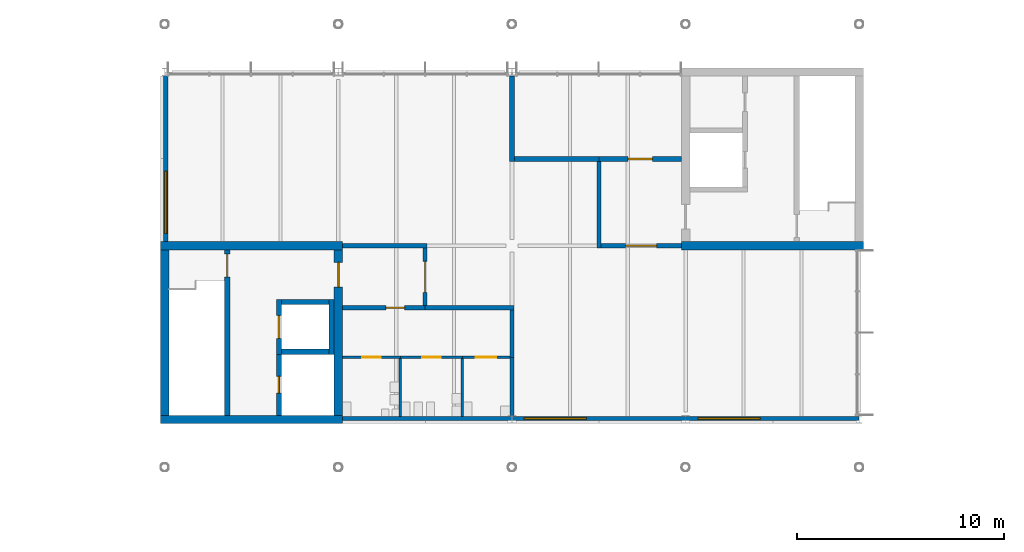
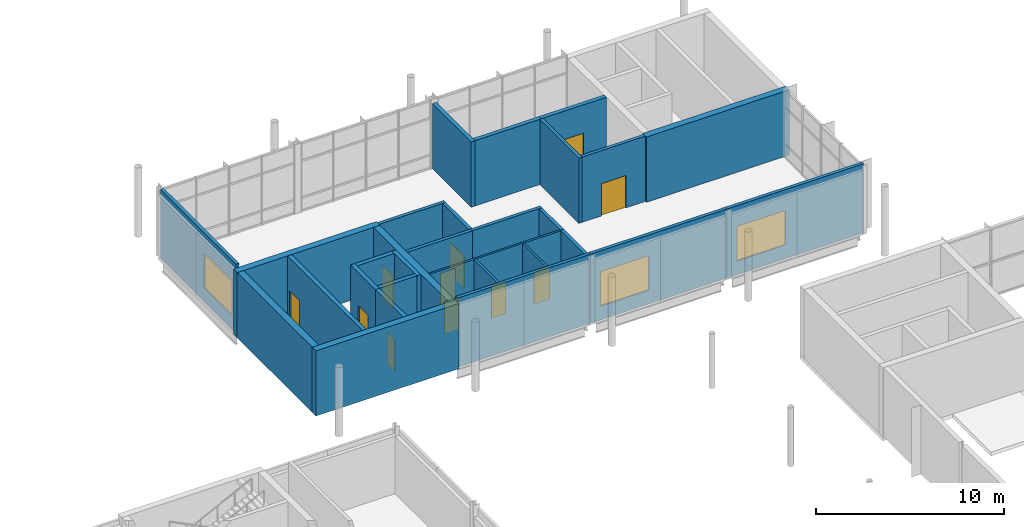
# One storey, part 56 of 89: 31 walls, 11 doors, 3 windows, 14 openings.
"""IFC4 building model written with IfcOpenShell, lengths in metres."""

import ifcopenshell
import ifcopenshell.guid

model = None  # the IFC model being written
_history = None  # IfcOwnerHistory: only IFC2X3 demands one
_inside = {}  # id of a spatial element -> (the spatial element, [elements in it])
_under = {}  # id of a project, library or spatial element -> (it, [spatial elements below it])
_declared = {}  # id of a project -> (the project, [libraries it declares])
_typed = {}  # id of a type object -> (the type object, [elements of that type])
_made_of = {}  # id of a material, layer set ... -> (it, [elements and type objects made of it])


def new_model(schema):
    """Start an empty IFC model of exactly this schema.

    Asked for "IFC4X3", IfcOpenShell would pick the latest addendum, in which some entities
    have other attributes; the version numbers below select the first issue.
    IFC2X3 requires an IfcOwnerHistory on every rooted entity: one is made here for all.
    """
    global model, _history
    if schema == "IFC4X3":
        model = ifcopenshell.file(schema_version=(4, 3, 0, 0))
    else:
        model = ifcopenshell.file(schema=schema)
    _inside.clear()
    _under.clear()
    _declared.clear()
    _typed.clear()
    _made_of.clear()
    _history = None
    if model.schema == "IFC2X3":
        org = make("IfcOrganization", Name="unknown")
        user = make(
            "IfcPersonAndOrganization",
            ThePerson=make("IfcPerson", FamilyName="unknown"),
            TheOrganization=org,
        )
        app = make(
            "IfcApplication",
            ApplicationDeveloper=org,
            Version="unknown",
            ApplicationFullName="unknown",
            ApplicationIdentifier="unknown",
        )
        _history = make(
            "IfcOwnerHistory",
            OwningUser=user,
            OwningApplication=app,
            ChangeAction="ADDED",
            CreationDate=0,
        )
    return model


def make(cls, **values):
    """One entity of the class cls with the attributes given. An attribute that is None is left unset."""
    return model.create_entity(
        cls, **{name: value for name, value in values.items() if value is not None}
    )


def rooted(cls, **values):
    """An entity with a GlobalId (a new one), such as an element, a storey or a relation."""
    return make(cls, GlobalId=ifcopenshell.guid.new(), OwnerHistory=_history, **values)


def si_unit(unit_type, name, prefix=None):
    """IfcSIUnit, for example si_unit("LENGTHUNIT", "METRE", prefix="MILLI")."""
    return make("IfcSIUnit", UnitType=unit_type, Prefix=prefix, Name=name)


def assignment(units):
    """IfcUnitAssignment: the units of a project."""
    return None if units is None else make("IfcUnitAssignment", Units=units)


def point(xyz):
    """IfcCartesianPoint."""
    return None if xyz is None else make("IfcCartesianPoint", Coordinates=xyz)


def direction(xyz):
    """IfcDirection."""
    return None if xyz is None else make("IfcDirection", DirectionRatios=xyz)


def frame(location, z_axis=None, x_axis=None):
    """IfcAxis2Placement3D, a coordinate frame: its origin and axes. An axis left out is left unset."""
    return make(
        "IfcAxis2Placement3D",
        Location=point(location),
        Axis=direction(z_axis),
        RefDirection=direction(x_axis),
    )


def frame_2d(location, x_axis=None):
    """IfcAxis2Placement2D, a coordinate frame in the plane: its origin and x axis."""
    return make(
        "IfcAxis2Placement2D", Location=point(location), RefDirection=direction(x_axis)
    )


def origin():
    """The frame at (0, 0, 0) with its axes left unset."""
    return frame((0.0, 0.0, 0.0))


def place(relative_to, where):
    """IfcLocalPlacement: puts the frame where relative to a parent placement (None: the world)."""
    return make(
        "IfcLocalPlacement", PlacementRelTo=relative_to, RelativePlacement=where
    )


def context(
    kind, dimensions, precision=None, world=None, true_north=None, identifier=None
):
    """IfcGeometricRepresentationContext, for example the 3D "Model" context."""
    return make(
        "IfcGeometricRepresentationContext",
        ContextIdentifier=identifier,
        ContextType=kind,
        CoordinateSpaceDimension=dimensions,
        Precision=precision,
        WorldCoordinateSystem=world,
        TrueNorth=true_north,
    )


def subcontext(parent, identifier, kind, view, scale=None):
    """IfcGeometricRepresentationSubContext, for example "Body" below "Model"."""
    return make(
        "IfcGeometricRepresentationSubContext",
        ContextIdentifier=identifier,
        ContextType=kind,
        ParentContext=parent,
        TargetScale=scale,
        TargetView=view,
    )


def project(units=None, contexts=None):
    """IfcProject with its units and contexts."""
    return rooted(
        "IfcProject",
        Name="project",
        RepresentationContexts=contexts,
        UnitsInContext=assignment(units),
    )


def spatial(cls, under=None, at=None, **own):
    """A site, building, storey or space (cls), placed at a placement, below another one or the project."""
    s = rooted(cls, ObjectPlacement=at, **own)
    if under is not None:
        _under.setdefault(under.id(), (under, []))[1].append(s)
    return s


def profile(cls, at=None, kind="AREA", **sizes):
    """A parametric profile (cls). Its sizes go by their IFC names, for example OverallWidth=200.0."""
    return make(cls, ProfileType=kind, Position=at, **sizes)


def rectangle(**sizes):
    """IfcRectangleProfileDef."""
    return profile("IfcRectangleProfileDef", **sizes)


def extrude(swept, where, along, depth):
    """IfcExtrudedAreaSolid: the profile swept, set in the frame where, extruded along a direction by depth."""
    return make(
        "IfcExtrudedAreaSolid",
        SweptArea=swept,
        Position=where,
        ExtrudedDirection=direction(along),
        Depth=depth,
    )


def shape(context_of_items, identifier, shape_type, items):
    """IfcShapeRepresentation: the items that make up one representation, for example the "Body"."""
    return make(
        "IfcShapeRepresentation",
        ContextOfItems=context_of_items,
        RepresentationIdentifier=identifier,
        RepresentationType=shape_type,
        Items=items,
    )


def material(Name=None, Category=None):
    """IfcMaterial."""
    return make("IfcMaterial", Name=Name, Category=Category)


def layer(
    of_material, thickness, ventilated=None, Name=None, Category=None, Priority=None
):
    """IfcMaterialLayer: one layer of a wall or slab, of a material (None: an air gap)."""
    return make(
        "IfcMaterialLayer",
        Material=of_material,
        LayerThickness=thickness,
        IsVentilated=ventilated,
        Name=Name,
        Category=Category,
        Priority=Priority,
    )


def layer_set(layers, Name=None):
    """IfcMaterialLayerSet."""
    return make("IfcMaterialLayerSet", MaterialLayers=layers, LayerSetName=Name)


def made_of(thing, what):
    """Note that an element or type object is made of a material, layer set ...; save() writes the relation."""
    if what is not None:
        _made_of.setdefault(what.id(), (what, []))[1].append(thing)
    return thing


def type_object(cls, material=None, **own):
    """A type object (cls), such as IfcWallType, which elements share."""
    return made_of(rooted(cls, **own), material)


def element(
    cls,
    number,
    at=None,
    inside=None,
    cuts=None,
    type_object=None,
    material=None,
    context=None,
    identifier="Body",
    shape_type=None,
    held_by="IfcProductDefinitionShape",
    body=None,
    shapes=None,
    **own,
):
    """One element of the class cls, such as IfcWall. Its Tag is "e" and its number.

    at: its placement. inside: the storey or other place that contains it. cuts: it is an
    opening in that element (IfcRelVoidsElement). A single representation is given by context,
    identifier, shape_type and body (its items); several are given by shapes. held_by: the class
    of the entity that holds the representations. save() writes the other relations.
    """
    e = rooted(cls, Tag="e%d" % number, ObjectPlacement=at, **own)
    if body is not None:
        shapes = [shape(context, identifier, shape_type, body)]
    if shapes is not None:
        e.Representation = make(held_by, Representations=shapes)
    if inside is not None:
        _inside.setdefault(inside.id(), (inside, []))[1].append(e)
    if cuts is not None:
        rooted(
            "IfcRelVoidsElement", RelatingBuildingElement=cuts, RelatedOpeningElement=e
        )
    if type_object is not None:
        _typed.setdefault(type_object.id(), (type_object, []))[1].append(e)
    return made_of(e, material)


def fill(opening, filler):
    """IfcRelFillsElement: the door or window that sits in an opening."""
    return rooted(
        "IfcRelFillsElement",
        RelatingOpeningElement=opening,
        RelatedBuildingElement=filler,
    )


def aggregate(whole, parts):
    """IfcRelAggregates: a whole, such as a stair, and the parts it consists of."""
    return rooted("IfcRelAggregates", RelatingObject=whole, RelatedObjects=parts)


def save(model, path):
    """Write the relations noted so far, then the file.

    IfcRelAggregates (storeys below a building ...), IfcRelContainedInSpatialStructure (elements
    in a storey), IfcRelDefinesByType, IfcRelAssociatesMaterial and IfcRelDeclares: one each for
    every whole, place, type object, material and project.
    """
    for whole, parts in _under.values():
        aggregate(whole, parts)
    for where, things in _inside.values():
        rooted(
            "IfcRelContainedInSpatialStructure",
            RelatedElements=things,
            RelatingStructure=where,
        )
    for kind, things in _typed.values():
        rooted("IfcRelDefinesByType", RelatedObjects=things, RelatingType=kind)
    for what, things in _made_of.values():
        rooted("IfcRelAssociatesMaterial", RelatedObjects=things, RelatingMaterial=what)
    for by, libraries in _declared.values():
        rooted("IfcRelDeclares", RelatingContext=by, RelatedDefinitions=libraries)
    model.write(path)


model = new_model("IFC4")

# Units and contexts
model_context = context("Model", 3, precision=1e-05, world=origin(), true_north=direction((0.0, 1.0)))
body_context = subcontext(model_context, "Body", "Model", "MODEL_VIEW")
ifc_project = project(units=[si_unit("LENGTHUNIT", "METRE"), si_unit("AREAUNIT", "SQUARE_METRE"), si_unit("VOLUMEUNIT", "CUBIC_METRE"), si_unit("PLANEANGLEUNIT", "RADIAN"), si_unit("MASSUNIT", "GRAM", prefix="KILO")], contexts=[model_context])

# Site, building, storey
site_placement = place(None, origin())
site = spatial("IfcSite", under=ifc_project, at=site_placement, CompositionType="ELEMENT")
building_placement = place(site_placement, origin())
building = spatial("IfcBuilding", under=site, at=building_placement, Name="Hlaing Beacon Police Headquarters", CompositionType="ELEMENT")
storey_placement = place(building_placement, frame((0.0, 0.0, 9.89990234375)))
storey = spatial("IfcBuildingStorey", under=building, at=storey_placement, Name="L02", CompositionType="ELEMENT", Elevation=9.89990234375)

# Walls
ifc_material_1 = material(Name="Concrete blockwork 7.5 N/mm2", Category="masonry")
ifc_layer_1 = layer(ifc_material_1, 0.199951171875)
ifc_layer_set_1 = layer_set([ifc_layer_1], Name="Concrete blockwork 7.5 N/mm2")
wall_type_1 = type_object("IfcWallType", Name="Compartment wall EI 60 200", PredefinedType="PARTITIONING", material=ifc_layer_set_1)
wall_1_placement = place(storey_placement, frame((50.39990234375, 75.780029296875, 0.0), z_axis=(0.0, 0.0, 1.0), x_axis=(0.0, 1.0, 0.0)))
element("IfcWall", 1, at=wall_1_placement, inside=storey, type_object=wall_type_1, Name="Compartment wall EI 60 200", PredefinedType="PARTITIONING", context=body_context, shape_type="SweptSolid", body=[
    extrude(rectangle(XDim=2.820068359375, YDim=0.199951171875, at=frame_2d((1.41015625, 0.0))), origin(), (0.0, 0.0, 1.0), 4.25),
])
wall_2_placement = place(storey_placement, frame((46.199951171875, 81.0, 0.0), z_axis=(0.0, 0.0, 1.0), x_axis=(1.0, 0.0, 0.0)))
element("IfcWall", 2, at=wall_2_placement, inside=storey, type_object=wall_type_1, Name="Compartment wall EI 60 200", PredefinedType="PARTITIONING", context=body_context, shape_type="SweptSolid", body=[
    extrude(rectangle(XDim=4.300048828125, YDim=0.199951171875, at=frame_2d((2.14990234375, 0.0))), origin(), (0.0, 0.0, 1.0), 4.25),
])
wall_3_placement = place(storey_placement, frame((50.39990234375, 78.60009765625, 0.0), z_axis=(0.0, 0.0, 1.0), x_axis=(0.0, 1.0, 0.0)))
element("IfcWall", 3, at=wall_3_placement, inside=storey, type_object=wall_type_1, Name="Compartment wall EI 60 200", PredefinedType="PARTITIONING", context=body_context, shape_type="SweptSolid", body=[
    extrude(rectangle(XDim=2.2998046875, YDim=0.199951171875, at=frame_2d((1.14990234375, 0.0))), origin(), (0.0, 0.0, 1.0), 4.25),
])
ifc_material_2 = material(Name="Concrete C60/75", Category="concrete")
ifc_layer_2 = layer(ifc_material_2, 0.39990234375)
ifc_layer_set_2 = layer_set([ifc_layer_2], Name="Concrete C60/75")
wall_type_2 = type_object("IfcWallType", Name="Core shear wall 400", PredefinedType="SHEAR", material=ifc_layer_set_2)
for number, where, z_axis, x_axis, name in (
    (4, (33.39990234375, 75.60009765625, 0.0), (0.0, 0.0, 1.0), (1.0, 0.0, 0.0), "Core shear wall"),
    (5, (33.39990234375, 84.0, 0.0), (0.0, 0.0, 1.0), (1.0, 0.0, 0.0), "Core shear wall"),
):
    element("IfcWall", number, at=place(storey_placement, frame(where, z_axis=z_axis, x_axis=x_axis)), inside=storey, type_object=wall_type_2, Name=name, PredefinedType="SHEAR", context=body_context, shape_type="SweptSolid", body=[
        extrude(rectangle(XDim=8.800048828125, YDim=0.39990234375, at=frame_2d((4.39990234375, 0.0))), origin(), (0.0, 0.0, 1.0), 4.25),
    ])
wall_4_placement = place(storey_placement, frame((33.60009765625, 75.800048828125, 0.0), z_axis=(0.0, 0.0, 1.0), x_axis=(0.0, 1.0, 0.0)))
element("IfcWall", 6, at=wall_4_placement, inside=storey, type_object=wall_type_2, Name="Core shear wall", PredefinedType="SHEAR", context=body_context, shape_type="SweptSolid", body=[
    extrude(rectangle(XDim=8.0, YDim=0.39990234375, at=frame_2d((4.0, 0.0))), origin(), (0.0, 0.0, 1.0), 4.25),
])

# Wall, opening, door
wall_5_placement = place(storey_placement, frame((42.0, 75.800048828125, 0.0), z_axis=(0.0, 0.0, 1.0), x_axis=(0.0, 1.0, 0.0)))
wall_5 = element("IfcWall", 7, at=wall_5_placement, inside=storey, type_object=wall_type_2, Name="Core shear wall", PredefinedType="SHEAR", context=body_context, shape_type="SweptSolid", body=[
    extrude(rectangle(XDim=8.0, YDim=0.39990234375, at=frame_2d((4.0, 0.0))), origin(), (0.0, 0.0, 1.0), 4.25),
])
opening_1_placement = place(wall_5_placement, frame((6.199951171875, 0.0, 0.0)))
opening_1 = element("IfcOpeningElement", 8, at=opening_1_placement, cuts=wall_5, Name="Opening L02-901", PredefinedType="OPENING", context=body_context, shape_type="SweptSolid", body=[
    extrude(rectangle(XDim=1.199951171875, YDim=2.10009765625, at=frame_2d((0.60009765625, 1.050048828125))), frame((0.0, 0.2099609375, 0.0), z_axis=(0.0, -1.0, 0.0), x_axis=(1.0, 0.0, 0.0)), (0.0, 0.0, 1.0), 0.419921875),
])
ifc_material_3 = material(Name="Steel fire door leaf", Category="steel")
ifc_layer_3 = layer(ifc_material_3, 0.070068359375)
ifc_layer_set_3 = layer_set([ifc_layer_3], Name="Steel fire door leaf")
door_type_1 = type_object("IfcDoorType", Name="Steel fire door FD60S 1200x2100", OperationType="SINGLE_SWING_LEFT", PredefinedType="DOOR", material=ifc_layer_set_3)
door_1_placement = place(opening_1_placement, origin())
door_1 = element("IfcDoor", 9, at=door_1_placement, inside=storey, type_object=door_type_1, Name="Door Lift and Stair Lobby ST-E Entry", OperationType="SINGLE_SWING_RIGHT", OverallHeight=2.10009765625, OverallWidth=1.199951171875, PredefinedType="DOOR", context=body_context, shape_type="SweptSolid", body=[
    extrude(rectangle(XDim=1.199951171875, YDim=2.10009765625, at=frame_2d((0.60009765625, 1.050048828125))), frame((0.0, 0.03515625, 0.0), z_axis=(0.0, -1.0, 0.0), x_axis=(1.0, 0.0, 0.0)), (0.0, 0.0, 1.0), 0.070068359375),
])
fill(opening_1, door_1)

# Wall
wall_6_placement = place(storey_placement, frame((58.60009765625, 84.0, 0.0), z_axis=(0.0, 0.0, 1.0), x_axis=(1.0, 0.0, 0.0)))
element("IfcWall", 10, at=wall_6_placement, inside=storey, type_object=wall_type_2, Name="Core shear wall", PredefinedType="SHEAR", context=body_context, shape_type="SweptSolid", body=[
    extrude(rectangle(XDim=8.7998046875, YDim=0.39990234375, at=frame_2d((4.39990234375, 0.0))), origin(), (0.0, 0.0, 1.0), 4.25),
])

# Wall, opening, window
ifc_material_4 = material(Name="Insulated aluminium cladding system", Category="aluminium")
ifc_layer_4 = layer(ifc_material_4, 0.199951171875)
ifc_layer_set_4 = layer_set([ifc_layer_4], Name="Insulated aluminium cladding system")
wall_type_3 = type_object("IfcWallType", Name="Insulated aluminium clad wall 200", PredefinedType="SOLIDWALL", material=ifc_layer_set_4)
wall_7_placement = place(storey_placement, frame((33.64990234375, 92.22998046875, 0.0), z_axis=(0.0, 0.0, 1.0), x_axis=(0.0, -1.0, 0.0)))
wall_7 = element("IfcWall", 11, at=wall_7_placement, inside=storey, type_object=wall_type_3, Name="External wall L02 W030", PredefinedType="SOLIDWALL", context=body_context, shape_type="SweptSolid", body=[
    extrude(rectangle(XDim=8.030029296875, YDim=0.199951171875, at=frame_2d((4.01513671875, 0.0))), origin(), (0.0, 0.0, 1.0), 4.5),
])
opening_2_placement = place(wall_7_placement, frame((4.6298828125, 0.0, 0.89990234375)))
opening_2 = element("IfcOpeningElement", 12, at=opening_2_placement, cuts=wall_7, Name="Opening WN33", PredefinedType="OPENING", context=body_context, shape_type="SweptSolid", body=[
    extrude(rectangle(XDim=3.0, YDim=2.25, at=frame_2d((1.5, 1.125))), frame((0.0, 0.10986328125, 0.0), z_axis=(0.0, -1.0, 0.0), x_axis=(1.0, 0.0, 0.0)), (0.0, 0.0, 1.0), 0.219970703125),
])
ifc_material_5 = material(Name="Aluminium frame with solar control glazing", Category="aluminium")
window_type = type_object("IfcWindowType", Name="Open plan window 3000x2250 frame 80", PartitioningType="SINGLE_PANEL", PredefinedType="WINDOW", material=ifc_material_5)
window_1_placement = place(opening_2_placement, origin())
window_1 = element("IfcWindow", 13, at=window_1_placement, inside=storey, type_object=window_type, Name="Window L02 WO", OverallHeight=2.25, OverallWidth=3.0, PartitioningType="SINGLE_PANEL", PredefinedType="WINDOW", context=body_context, shape_type="SweptSolid", body=[
    extrude(rectangle(XDim=3.0, YDim=2.25, at=frame_2d((1.5, 1.125))), frame((0.0, 0.0400390625, 0.0), z_axis=(0.0, -1.0, 0.0), x_axis=(1.0, 0.0, 0.0)), (0.0, 0.0, 1.0), 0.080078125),
])
fill(opening_2, window_1)

# Wall
wall_8_placement = place(storey_placement, frame((42.199951171875, 75.64990234375, 0.0), z_axis=(0.0, 0.0, 1.0), x_axis=(1.0, 0.0, 0.0)))
element("IfcWall", 14, at=wall_8_placement, inside=storey, type_object=wall_type_3, Name="External wall L02 S031", PredefinedType="SOLIDWALL", context=body_context, shape_type="SweptSolid", body=[
    extrude(rectangle(XDim=8.196044921875, YDim=0.199951171875, at=frame_2d((4.09814453125, 0.0))), origin(), (0.0, 0.0, 1.0), 4.5),
])

# Wall, opening, window
wall_9_placement = place(storey_placement, frame((50.404052734375, 75.64990234375, 0.0), z_axis=(0.0, 0.0, 1.0), x_axis=(1.0, 0.0, 0.0)))
wall_9 = element("IfcWall", 15, at=wall_9_placement, inside=storey, type_object=wall_type_3, Name="External wall L02 S032", PredefinedType="SOLIDWALL", context=body_context, shape_type="SweptSolid", body=[
    extrude(rectangle(XDim=8.391845703125, YDim=0.199951171875, at=frame_2d((4.19580078125, 0.0))), origin(), (0.0, 0.0, 1.0), 4.5),
])
opening_3_placement = place(wall_9_placement, frame((0.595947265625, 0.0, 0.89990234375)))
opening_3 = element("IfcOpeningElement", 16, at=opening_3_placement, cuts=wall_9, Name="Opening WN33", PredefinedType="OPENING", context=body_context, shape_type="SweptSolid", body=[
    extrude(rectangle(XDim=3.0, YDim=2.25, at=frame_2d((1.5, 1.125))), frame((0.0, 0.10986328125, 0.0), z_axis=(0.0, -1.0, 0.0), x_axis=(1.0, 0.0, 0.0)), (0.0, 0.0, 1.0), 0.219970703125),
])
window_2_placement = place(opening_3_placement, origin())
window_2 = element("IfcWindow", 17, at=window_2_placement, inside=storey, type_object=window_type, Name="Window L02 WO", OverallHeight=2.25, OverallWidth=3.0, PartitioningType="SINGLE_PANEL", PredefinedType="WINDOW", context=body_context, shape_type="SweptSolid", body=[
    extrude(rectangle(XDim=3.0, YDim=2.25, at=frame_2d((1.5, 1.125))), frame((0.0, 0.0400390625, 0.0), z_axis=(0.0, -1.0, 0.0), x_axis=(1.0, 0.0, 0.0)), (0.0, 0.0, 1.0), 0.080078125),
])
fill(opening_3, window_2)

wall_10_placement = place(storey_placement, frame((58.803955078125, 75.64990234375, 0.0), z_axis=(0.0, 0.0, 1.0), x_axis=(1.0, 0.0, 0.0)))
wall_10 = element("IfcWall", 18, at=wall_10_placement, inside=storey, type_object=wall_type_3, Name="External wall L02 S033", PredefinedType="SOLIDWALL", context=body_context, shape_type="SweptSolid", body=[
    extrude(rectangle(XDim=8.392333984375, YDim=0.199951171875, at=frame_2d((4.1962890625, 0.0))), origin(), (0.0, 0.0, 1.0), 4.5),
])
opening_4_placement = place(wall_10_placement, frame((0.595947265625, 0.0, 0.89990234375)))
opening_4 = element("IfcOpeningElement", 19, at=opening_4_placement, cuts=wall_10, Name="Opening WN33", PredefinedType="OPENING", context=body_context, shape_type="SweptSolid", body=[
    extrude(rectangle(XDim=3.0, YDim=2.25, at=frame_2d((1.5, 1.125))), frame((0.0, 0.10986328125, 0.0), z_axis=(0.0, -1.0, 0.0), x_axis=(1.0, 0.0, 0.0)), (0.0, 0.0, 1.0), 0.219970703125),
])
window_3_placement = place(opening_4_placement, origin())
window_3 = element("IfcWindow", 20, at=window_3_placement, inside=storey, type_object=window_type, Name="Window L02 WO", OverallHeight=2.25, OverallWidth=3.0, PartitioningType="SINGLE_PANEL", PredefinedType="WINDOW", context=body_context, shape_type="SweptSolid", body=[
    extrude(rectangle(XDim=3.0, YDim=2.25, at=frame_2d((1.5, 1.125))), frame((0.0, 0.0400390625, 0.0), z_axis=(0.0, -1.0, 0.0), x_axis=(1.0, 0.0, 0.0)), (0.0, 0.0, 1.0), 0.080078125),
])
fill(opening_4, window_3)

# Wall
ifc_material_6 = material(Name="Concrete blockwork 7.5 N/mm2", Category="masonry")
ifc_layer_5 = layer(ifc_material_6, 0.199951171875)
ifc_layer_set_5 = layer_set([ifc_layer_5], Name="Concrete blockwork 7.5 N/mm2")
wall_type_4 = type_object("IfcWallType", Name="Lobby wall EI 120 200", PredefinedType="PARTITIONING", material=ifc_layer_set_5)
wall_11_placement = place(storey_placement, frame((42.199951171875, 84.0, 0.0), z_axis=(0.0, 0.0, 1.0), x_axis=(1.0, 0.0, 0.0)))
element("IfcWall", 21, at=wall_11_placement, inside=storey, type_object=wall_type_4, Name="Lobby wall EI 120 200", PredefinedType="PARTITIONING", context=body_context, shape_type="SweptSolid", body=[
    extrude(rectangle(XDim=4.10009765625, YDim=0.199951171875, at=frame_2d((2.050048828125, 0.0))), origin(), (0.0, 0.0, 1.0), 4.25),
])

# Wall, opening, door
wall_12_placement = place(storey_placement, frame((46.199951171875, 81.10009765625, 0.0), z_axis=(0.0, 0.0, 1.0), x_axis=(0.0, 1.0, 0.0)))
wall_12 = element("IfcWall", 22, at=wall_12_placement, inside=storey, type_object=wall_type_4, Name="Lobby wall EI 120 200", PredefinedType="PARTITIONING", context=body_context, shape_type="SweptSolid", body=[
    extrude(rectangle(XDim=2.7998046875, YDim=0.199951171875, at=frame_2d((1.39990234375, 0.0))), origin(), (0.0, 0.0, 1.0), 4.25),
])
opening_5_placement = place(wall_12_placement, frame((0.64990234375, 0.0, 0.0)))
opening_5 = element("IfcOpeningElement", 23, at=opening_5_placement, cuts=wall_12, Name="Opening L02-001", PredefinedType="OPENING", context=body_context, shape_type="SweptSolid", body=[
    extrude(rectangle(XDim=1.5, YDim=2.10009765625, at=frame_2d((0.75, 1.050048828125))), frame((0.0, 0.10986328125, 0.0), z_axis=(0.0, -1.0, 0.0), x_axis=(1.0, 0.0, 0.0)), (0.0, 0.0, 1.0), 0.219970703125),
])
ifc_material_7 = material(Name="Hardwood door leaf", Category="wood")
ifc_layer_6 = layer(ifc_material_7, 0.06005859375)
ifc_layer_set_6 = layer_set([ifc_layer_6], Name="Hardwood door leaf")
door_type_2 = type_object("IfcDoorType", Name="Fire cross-corridor door FD60S 1500x2100", OperationType="DOUBLE_DOOR_SINGLE_SWING", PredefinedType="DOOR", material=ifc_layer_set_6)
door_2_placement = place(opening_5_placement, frame((1.5, 0.0, 0.0), z_axis=(0.0, 0.0, 1.0), x_axis=(-1.0, 0.0, 0.0)))
door_2 = element("IfcDoor", 24, at=door_2_placement, inside=storey, type_object=door_type_2, Name="Door Control Room", OperationType="DOUBLE_DOOR_SINGLE_SWING", OverallHeight=2.10009765625, OverallWidth=1.5, PredefinedType="DOOR", context=body_context, shape_type="SweptSolid", body=[
    extrude(rectangle(XDim=1.5, YDim=2.10009765625, at=frame_2d((0.75, 1.050048828125))), frame((0.0, 0.030029296875, 0.0), z_axis=(0.0, -1.0, 0.0), x_axis=(1.0, 0.0, 0.0)), (0.0, 0.0, 1.0), 0.06005859375),
])
fill(opening_5, door_2)

# Wall
wall_13_placement = place(storey_placement, frame((54.60009765625, 83.89990234375, 0.0), z_axis=(0.0, 0.0, 1.0), x_axis=(0.0, 1.0, 0.0)))
element("IfcWall", 25, at=wall_13_placement, inside=storey, type_object=wall_type_4, Name="Lobby wall EI 120 200", PredefinedType="PARTITIONING", context=body_context, shape_type="SweptSolid", body=[
    extrude(rectangle(XDim=4.175048828125, YDim=0.199951171875, at=frame_2d((2.08740234375, 0.0))), origin(), (0.0, 0.0, 1.0), 4.25),
])

# Wall, opening, door
wall_14_placement = place(storey_placement, frame((54.699951171875, 84.0, 0.0), z_axis=(0.0, 0.0, 1.0), x_axis=(1.0, 0.0, 0.0)))
wall_14 = element("IfcWall", 26, at=wall_14_placement, inside=storey, type_object=wall_type_4, Name="Lobby wall EI 120 200", PredefinedType="PARTITIONING", context=body_context, shape_type="SweptSolid", body=[
    extrude(rectangle(XDim=3.900146484375, YDim=0.199951171875, at=frame_2d((1.9501953125, 0.0))), origin(), (0.0, 0.0, 1.0), 4.25),
])
opening_6_placement = place(wall_14_placement, frame((1.199951171875, 0.0, 0.0)))
opening_6 = element("IfcOpeningElement", 27, at=opening_6_placement, cuts=wall_14, Name="Opening L02-002", PredefinedType="OPENING", context=body_context, shape_type="SweptSolid", body=[
    extrude(rectangle(XDim=1.5, YDim=2.10009765625, at=frame_2d((0.75, 1.050048828125))), frame((0.0, 0.10986328125, 0.0), z_axis=(0.0, -1.0, 0.0), x_axis=(1.0, 0.0, 0.0)), (0.0, 0.0, 1.0), 0.219970703125),
])
door_3_placement = place(opening_6_placement, frame((1.5, 0.0, 0.0), z_axis=(0.0, 0.0, 1.0), x_axis=(-1.0, 0.0, 0.0)))
door_3 = element("IfcDoor", 28, at=door_3_placement, inside=storey, type_object=door_type_2, Name="Door Control Room", OperationType="DOUBLE_DOOR_SINGLE_SWING", OverallHeight=2.10009765625, OverallWidth=1.5, PredefinedType="DOOR", context=body_context, shape_type="SweptSolid", body=[
    extrude(rectangle(XDim=1.5, YDim=2.10009765625, at=frame_2d((0.75, 1.050048828125))), frame((0.0, 0.030029296875, 0.0), z_axis=(0.0, -1.0, 0.0), x_axis=(1.0, 0.0, 0.0)), (0.0, 0.0, 1.0), 0.06005859375),
])
fill(opening_6, door_3)

wall_15_placement = place(storey_placement, frame((42.199951171875, 81.0, 0.0), z_axis=(0.0, 0.0, 1.0), x_axis=(1.0, 0.0, 0.0)))
wall_15 = element("IfcWall", 29, at=wall_15_placement, inside=storey, type_object=wall_type_4, Name="Lobby wall EI 120 200", PredefinedType="PARTITIONING", context=body_context, shape_type="SweptSolid", body=[
    extrude(rectangle(XDim=4.0, YDim=0.199951171875, at=frame_2d((2.0, 0.0))), origin(), (0.0, 0.0, 1.0), 4.25),
])
opening_7_placement = place(wall_15_placement, frame((2.10009765625, 0.0, 0.0)))
opening_7 = element("IfcOpeningElement", 30, at=opening_7_placement, cuts=wall_15, Name="Opening L02-006", PredefinedType="OPENING", context=body_context, shape_type="SweptSolid", body=[
    extrude(rectangle(XDim=0.89990234375, YDim=2.10009765625, at=frame_2d((0.449951171875, 1.050048828125))), frame((0.0, 0.10986328125, 0.0), z_axis=(0.0, -1.0, 0.0), x_axis=(1.0, 0.0, 0.0)), (0.0, 0.0, 1.0), 0.219970703125),
])
ifc_material_8 = material(Name="Hardwood door leaf", Category="wood")
ifc_layer_7 = layer(ifc_material_8, 0.06005859375)
ifc_layer_set_7 = layer_set([ifc_layer_7], Name="Hardwood door leaf")
door_type_3 = type_object("IfcDoorType", Name="Fire door FD60S 900x2100", OperationType="SINGLE_SWING_LEFT", PredefinedType="DOOR", material=ifc_layer_set_7)
door_4_placement = place(opening_7_placement, frame((0.89990234375, 0.0, 0.0), z_axis=(0.0, 0.0, 1.0), x_axis=(-1.0, 0.0, 0.0)))
door_4 = element("IfcDoor", 31, at=door_4_placement, inside=storey, type_object=door_type_3, Name="Door WC Lobby", OperationType="SINGLE_SWING_RIGHT", OverallHeight=2.10009765625, OverallWidth=0.89990234375, PredefinedType="DOOR", context=body_context, shape_type="SweptSolid", body=[
    extrude(rectangle(XDim=0.89990234375, YDim=2.10009765625, at=frame_2d((0.449951171875, 1.050048828125))), frame((0.0, 0.030029296875, 0.0), z_axis=(0.0, -1.0, 0.0), x_axis=(1.0, 0.0, 0.0)), (0.0, 0.0, 1.0), 0.06005859375),
])
fill(opening_7, door_4)

# Wall
ifc_material_9 = material(Name="Gypsum board partition")
ifc_layer_8 = layer(ifc_material_9, 0.125)
ifc_layer_set_8 = layer_set([ifc_layer_8], Name="Gypsum board partition")
wall_type_5 = type_object("IfcWallType", Name="Partition 125", PredefinedType="PARTITIONING", material=ifc_layer_set_8)
wall_16_placement = place(storey_placement, frame((48.0, 75.75, 0.0), z_axis=(0.0, 0.0, 1.0), x_axis=(0.0, 1.0, 0.0)))
element("IfcWall", 32, at=wall_16_placement, inside=storey, type_object=wall_type_5, Name="Partition 125", PredefinedType="PARTITIONING", context=body_context, shape_type="SweptSolid", body=[
    extrude(rectangle(XDim=2.787109375, YDim=0.125, at=frame_2d((1.3935546875, 0.0))), origin(), (0.0, 0.0, 1.0), 4.25),
])

# Wall, opening, door
wall_17_placement = place(storey_placement, frame((48.0, 78.60009765625, 0.0), z_axis=(0.0, 0.0, 1.0), x_axis=(1.0, 0.0, 0.0)))
wall_17 = element("IfcWall", 33, at=wall_17_placement, inside=storey, type_object=wall_type_5, Name="Partition 125", PredefinedType="PARTITIONING", context=body_context, shape_type="SweptSolid", body=[
    extrude(rectangle(XDim=2.300048828125, YDim=0.125, at=frame_2d((1.14990234375, 0.0))), origin(), (0.0, 0.0, 1.0), 4.25),
])
opening_8_placement = place(wall_17_placement, frame((0.64990234375, 0.0, 0.0)))
opening_8 = element("IfcOpeningElement", 34, at=opening_8_placement, cuts=wall_17, Name="Opening L02-004", PredefinedType="OPENING", context=body_context, shape_type="SweptSolid", body=[
    extrude(rectangle(XDim=1.0, YDim=2.10009765625, at=frame_2d((0.5, 1.050048828125))), frame((0.0, 0.072509765625, 0.0), z_axis=(0.0, -1.0, 0.0), x_axis=(1.0, 0.0, 0.0)), (0.0, 0.0, 1.0), 0.14501953125),
])
ifc_material_10 = material(Name="Hardwood door leaf", Category="wood")
ifc_layer_9 = layer(ifc_material_10, 0.0400390625)
ifc_layer_set_9 = layer_set([ifc_layer_9], Name="Hardwood door leaf")
door_type_4 = type_object("IfcDoorType", Name="Door 1000x2100", OperationType="SINGLE_SWING_LEFT", PredefinedType="DOOR", material=ifc_layer_set_9)
door_5_placement = place(opening_8_placement, frame((1.0, 0.0, 0.0), z_axis=(0.0, 0.0, 1.0), x_axis=(-1.0, 0.0, 0.0)))
door_5 = element("IfcDoor", 35, at=door_5_placement, inside=storey, type_object=door_type_4, Name="Door Accessible WC", OperationType="SINGLE_SWING_RIGHT", OverallHeight=2.10009765625, OverallWidth=1.0, PredefinedType="DOOR", context=body_context, shape_type="SweptSolid", body=[
    extrude(rectangle(XDim=1.0, YDim=2.10009765625, at=frame_2d((0.5, 1.050048828125))), frame((0.0, 0.02001953125, 0.0), z_axis=(0.0, -1.0, 0.0), x_axis=(1.0, 0.0, 0.0)), (0.0, 0.0, 1.0), 0.0400390625),
])
fill(opening_8, door_5)

wall_18_placement = place(storey_placement, frame((45.0, 78.60009765625, 0.0), z_axis=(0.0, 0.0, 1.0), x_axis=(1.0, 0.0, 0.0)))
wall_18 = element("IfcWall", 36, at=wall_18_placement, inside=storey, type_object=wall_type_5, Name="Partition 125", PredefinedType="PARTITIONING", context=body_context, shape_type="SweptSolid", body=[
    extrude(rectangle(XDim=3.0, YDim=0.125, at=frame_2d((1.5, 0.0))), origin(), (0.0, 0.0, 1.0), 4.25),
])
opening_9_placement = place(wall_18_placement, frame((1.050048828125, 0.0, 0.0)))
opening_9 = element("IfcOpeningElement", 37, at=opening_9_placement, cuts=wall_18, Name="Opening L02-005", PredefinedType="OPENING", context=body_context, shape_type="SweptSolid", body=[
    extrude(rectangle(XDim=0.89990234375, YDim=2.10009765625, at=frame_2d((0.449951171875, 1.050048828125))), frame((0.0, 0.072509765625, 0.0), z_axis=(0.0, -1.0, 0.0), x_axis=(1.0, 0.0, 0.0)), (0.0, 0.0, 1.0), 0.14501953125),
])
ifc_material_11 = material(Name="Hardwood door leaf", Category="wood")
ifc_layer_10 = layer(ifc_material_11, 0.0400390625)
ifc_layer_set_10 = layer_set([ifc_layer_10], Name="Hardwood door leaf")
door_type_5 = type_object("IfcDoorType", Name="Door 900x2100", OperationType="SINGLE_SWING_LEFT", PredefinedType="DOOR", material=ifc_layer_set_10)
door_6_placement = place(opening_9_placement, frame((0.89990234375, 0.0, 0.0), z_axis=(0.0, 0.0, 1.0), x_axis=(-1.0, 0.0, 0.0)))
door_6 = element("IfcDoor", 38, at=door_6_placement, inside=storey, type_object=door_type_5, Name="Door Female WC", OperationType="SINGLE_SWING_LEFT", OverallHeight=2.10009765625, OverallWidth=0.89990234375, PredefinedType="DOOR", context=body_context, shape_type="SweptSolid", body=[
    extrude(rectangle(XDim=0.89990234375, YDim=2.10009765625, at=frame_2d((0.449951171875, 1.050048828125))), frame((0.0, 0.02001953125, 0.0), z_axis=(0.0, -1.0, 0.0), x_axis=(1.0, 0.0, 0.0)), (0.0, 0.0, 1.0), 0.0400390625),
])
fill(opening_9, door_6)

# Wall
wall_19_placement = place(storey_placement, frame((45.0, 75.75, 0.0), z_axis=(0.0, 0.0, 1.0), x_axis=(0.0, 1.0, 0.0)))
element("IfcWall", 39, at=wall_19_placement, inside=storey, type_object=wall_type_5, Name="Partition 125", PredefinedType="PARTITIONING", context=body_context, shape_type="SweptSolid", body=[
    extrude(rectangle(XDim=2.787109375, YDim=0.125, at=frame_2d((1.3935546875, 0.0))), origin(), (0.0, 0.0, 1.0), 4.25),
])

# Wall, opening, door
wall_20_placement = place(storey_placement, frame((42.199951171875, 78.60009765625, 0.0), z_axis=(0.0, 0.0, 1.0), x_axis=(1.0, 0.0, 0.0)))
wall_20 = element("IfcWall", 40, at=wall_20_placement, inside=storey, type_object=wall_type_5, Name="Partition 125", PredefinedType="PARTITIONING", context=body_context, shape_type="SweptSolid", body=[
    extrude(rectangle(XDim=2.800048828125, YDim=0.125, at=frame_2d((1.39990234375, 0.0))), origin(), (0.0, 0.0, 1.0), 4.25),
])
opening_10_placement = place(wall_20_placement, frame((0.949951171875, 0.0, 0.0)))
opening_10 = element("IfcOpeningElement", 41, at=opening_10_placement, cuts=wall_20, Name="Opening L02-007", PredefinedType="OPENING", context=body_context, shape_type="SweptSolid", body=[
    extrude(rectangle(XDim=0.89990234375, YDim=2.10009765625, at=frame_2d((0.449951171875, 1.050048828125))), frame((0.0, 0.072509765625, 0.0), z_axis=(0.0, -1.0, 0.0), x_axis=(1.0, 0.0, 0.0)), (0.0, 0.0, 1.0), 0.14501953125),
])
door_7_placement = place(opening_10_placement, frame((0.89990234375, 0.0, 0.0), z_axis=(0.0, 0.0, 1.0), x_axis=(-1.0, 0.0, 0.0)))
door_7 = element("IfcDoor", 42, at=door_7_placement, inside=storey, type_object=door_type_5, Name="Door Male WC", OperationType="SINGLE_SWING_LEFT", OverallHeight=2.10009765625, OverallWidth=0.89990234375, PredefinedType="DOOR", context=body_context, shape_type="SweptSolid", body=[
    extrude(rectangle(XDim=0.89990234375, YDim=2.10009765625, at=frame_2d((0.449951171875, 1.050048828125))), frame((0.0, 0.02001953125, 0.0), z_axis=(0.0, -1.0, 0.0), x_axis=(1.0, 0.0, 0.0)), (0.0, 0.0, 1.0), 0.0400390625),
])
fill(opening_10, door_7)

# Walls
ifc_material_12 = material(Name="Concrete blockwork 7.5 N/mm2", Category="masonry")
ifc_layer_11 = layer(ifc_material_12, 0.25)
ifc_layer_set_11 = layer_set([ifc_layer_11], Name="Concrete blockwork 7.5 N/mm2")
wall_type_6 = type_object("IfcWallType", Name="Plant room wall EI 120 250", PredefinedType="PARTITIONING", material=ifc_layer_set_11)
wall_21_placement = place(storey_placement, frame((50.39990234375, 88.074951171875, 0.0), z_axis=(0.0, 0.0, 1.0), x_axis=(0.0, 1.0, 0.0)))
element("IfcWall", 43, at=wall_21_placement, inside=storey, type_object=wall_type_6, Name="Plant room wall EI 120 250", PredefinedType="PARTITIONING", context=body_context, shape_type="SweptSolid", body=[
    extrude(rectangle(XDim=4.14501953125, YDim=0.25, at=frame_2d((2.072509765625, 0.0))), origin(), (0.0, 0.0, 1.0), 4.25),
])
wall_22_placement = place(storey_placement, frame((50.52490234375, 88.199951171875, 0.0), z_axis=(0.0, 0.0, 1.0), x_axis=(1.0, 0.0, 0.0)))
element("IfcWall", 44, at=wall_22_placement, inside=storey, type_object=wall_type_6, Name="Plant room wall EI 120 250", PredefinedType="PARTITIONING", context=body_context, shape_type="SweptSolid", body=[
    extrude(rectangle(XDim=4.0751953125, YDim=0.25, at=frame_2d((2.03759765625, 0.0))), origin(), (0.0, 0.0, 1.0), 4.25),
])

# Wall, opening, door
wall_23_placement = place(storey_placement, frame((54.60009765625, 88.199951171875, 0.0), z_axis=(0.0, 0.0, 1.0), x_axis=(1.0, 0.0, 0.0)))
wall_23 = element("IfcWall", 45, at=wall_23_placement, inside=storey, type_object=wall_type_6, Name="Plant room wall EI 120 250", PredefinedType="PARTITIONING", context=body_context, shape_type="SweptSolid", body=[
    extrude(rectangle(XDim=4.0, YDim=0.25, at=frame_2d((2.0, 0.0))), origin(), (0.0, 0.0, 1.0), 4.25),
])
opening_11_placement = place(wall_23_placement, frame((1.39990234375, 0.0, 0.0)))
opening_11 = element("IfcOpeningElement", 46, at=opening_11_placement, cuts=wall_23, Name="Opening L02-003", PredefinedType="OPENING", context=body_context, shape_type="SweptSolid", body=[
    extrude(rectangle(XDim=1.199951171875, YDim=2.39990234375, at=frame_2d((0.60009765625, 1.199951171875))), frame((0.0, 0.135009765625, 0.0), z_axis=(0.0, -1.0, 0.0), x_axis=(1.0, 0.0, 0.0)), (0.0, 0.0, 1.0), 0.27001953125),
])
ifc_material_13 = material(Name="Steel fire door leaf", Category="steel")
ifc_layer_12 = layer(ifc_material_13, 0.10009765625)
ifc_layer_set_12 = layer_set([ifc_layer_12], Name="Steel fire door leaf")
door_type_6 = type_object("IfcDoorType", Name="Steel plant door FD120 1200x2400", OperationType="SINGLE_SWING_LEFT", PredefinedType="DOOR", material=ifc_layer_set_12)
door_8_placement = place(opening_11_placement, origin())
door_8 = element("IfcDoor", 47, at=door_8_placement, inside=storey, type_object=door_type_6, Name="Door Command Plant Room", OperationType="SINGLE_SWING_LEFT", OverallHeight=2.39990234375, OverallWidth=1.199951171875, PredefinedType="DOOR", context=body_context, shape_type="SweptSolid", body=[
    extrude(rectangle(XDim=1.199951171875, YDim=2.39990234375, at=frame_2d((0.60009765625, 1.199951171875))), frame((0.0, 0.050048828125, 0.0), z_axis=(0.0, -1.0, 0.0), x_axis=(1.0, 0.0, 0.0)), (0.0, 0.0, 1.0), 0.10009765625),
])
fill(opening_11, door_8)

ifc_material_14 = material(Name="Concrete C40/50", Category="concrete")
ifc_layer_13 = layer(ifc_material_14, 0.25)
ifc_layer_set_13 = layer_set([ifc_layer_13], Name="Concrete C40/50")
wall_type_7 = type_object("IfcWallType", Name="Shaft wall 250", PredefinedType="SOLIDWALL", material=ifc_layer_set_13)
wall_24_placement = place(storey_placement, frame((36.625, 83.800048828125, 0.0), z_axis=(0.0, 0.0, 1.0), x_axis=(0.0, -1.0, 0.0)))
wall_24 = element("IfcWall", 48, at=wall_24_placement, inside=storey, type_object=wall_type_7, Name="Stair enclosure wall", PredefinedType="SOLIDWALL", context=body_context, shape_type="SweptSolid", body=[
    extrude(rectangle(XDim=8.0, YDim=0.25, at=frame_2d((4.0, 0.0))), origin(), (0.0, 0.0, 1.0), 4.25),
])
opening_12_placement = place(wall_24_placement, frame((0.199951171875, 0.0, 0.0)))
opening_12 = element("IfcOpeningElement", 49, at=opening_12_placement, cuts=wall_24, Name="Opening L02-903", PredefinedType="OPENING", context=body_context, shape_type="SweptSolid", body=[
    extrude(rectangle(XDim=1.10009765625, YDim=2.10009765625, at=frame_2d((0.550048828125, 1.050048828125))), frame((0.0, 0.135009765625, 0.0), z_axis=(0.0, -1.0, 0.0), x_axis=(1.0, 0.0, 0.0)), (0.0, 0.0, 1.0), 0.27001953125),
])
ifc_material_15 = material(Name="Steel fire door leaf", Category="steel")
ifc_layer_14 = layer(ifc_material_15, 0.070068359375)
ifc_layer_set_14 = layer_set([ifc_layer_14], Name="Steel fire door leaf")
door_type_7 = type_object("IfcDoorType", Name="Steel fire door FD60 1100x2100", OperationType="SINGLE_SWING_LEFT", PredefinedType="DOOR", material=ifc_layer_set_14)
door_9_placement = place(opening_12_placement, frame((1.10009765625, 0.0, 0.0), z_axis=(0.0, 0.0, 1.0), x_axis=(-1.0, 0.0, 0.0)))
door_9 = element("IfcDoor", 50, at=door_9_placement, inside=storey, type_object=door_type_7, Name="Door Stair ST-E", OperationType="SINGLE_SWING_LEFT", OverallHeight=2.10009765625, OverallWidth=1.10009765625, PredefinedType="DOOR", context=body_context, shape_type="SweptSolid", body=[
    extrude(rectangle(XDim=1.10009765625, YDim=2.10009765625, at=frame_2d((0.550048828125, 1.050048828125))), frame((0.0, 0.034912109375, 0.0), z_axis=(0.0, -1.0, 0.0), x_axis=(1.0, 0.0, 0.0)), (0.0, 0.0, 1.0), 0.070068359375),
])
fill(opening_12, door_9)

wall_25_placement = place(storey_placement, frame((39.125, 78.75, 0.0), z_axis=(0.0, 0.0, 1.0), x_axis=(0.0, -1.0, 0.0)))
wall_25 = element("IfcWall", 51, at=wall_25_placement, inside=storey, type_object=wall_type_7, Name="Lobby wall", PredefinedType="SOLIDWALL", context=body_context, shape_type="SweptSolid", body=[
    extrude(rectangle(XDim=2.949951171875, YDim=0.25, at=frame_2d((1.47509765625, 0.0))), origin(), (0.0, 0.0, 1.0), 4.25),
])
opening_13_placement = place(wall_25_placement, frame((1.074951171875, 0.0, 0.0)))
opening_13 = element("IfcOpeningElement", 52, at=opening_13_placement, cuts=wall_25, Name="Opening L02-902", PredefinedType="OPENING", context=body_context, shape_type="SweptSolid", body=[
    extrude(rectangle(XDim=0.800048828125, YDim=2.10009765625, at=frame_2d((0.39990234375, 1.050048828125))), frame((0.0, 0.135009765625, 0.0), z_axis=(0.0, -1.0, 0.0), x_axis=(1.0, 0.0, 0.0)), (0.0, 0.0, 1.0), 0.27001953125),
])
ifc_material_16 = material(Name="Steel fire door leaf", Category="steel")
ifc_layer_15 = layer(ifc_material_16, 0.070068359375)
ifc_layer_set_15 = layer_set([ifc_layer_15], Name="Steel fire door leaf")
door_type_8 = type_object("IfcDoorType", Name="Steel fire door FD60 800x2100", OperationType="SINGLE_SWING_LEFT", PredefinedType="DOOR", material=ifc_layer_set_15)
door_10_placement = place(opening_13_placement, origin())
door_10 = element("IfcDoor", 53, at=door_10_placement, inside=storey, type_object=door_type_8, Name="Door Services Riser", OperationType="SINGLE_SWING_RIGHT", OverallHeight=2.10009765625, OverallWidth=0.800048828125, PredefinedType="DOOR", context=body_context, shape_type="SweptSolid", body=[
    extrude(rectangle(XDim=0.800048828125, YDim=2.10009765625, at=frame_2d((0.39990234375, 1.050048828125))), frame((0.0, 0.03515625, 0.0), z_axis=(0.0, -1.0, 0.0), x_axis=(1.0, 0.0, 0.0)), (0.0, 0.0, 1.0), 0.070068359375),
])
fill(opening_13, door_10)

# Walls
wall_26_placement = place(storey_placement, frame((41.675048828125, 78.75, 0.0), z_axis=(0.0, 0.0, 1.0), x_axis=(0.0, 1.0, 0.0)))
element("IfcWall", 54, at=wall_26_placement, inside=storey, type_object=wall_type_7, Name="Lift shaft wall PL3", PredefinedType="SOLIDWALL", context=body_context, shape_type="SweptSolid", body=[
    extrude(rectangle(XDim=2.64990234375, YDim=0.25, at=frame_2d((1.324951171875, 0.0))), origin(), (0.0, 0.0, 1.0), 4.25),
])
for number, where, z_axis, x_axis, name in (
    (55, (39.25, 81.27490234375, 0.0), (0.0, 0.0, 1.0), (1.0, 0.0, 0.0), "Lift shaft wall PL3"),
    (56, (39.25, 78.875, 0.0), (0.0, 0.0, 1.0), (1.0, 0.0, 0.0), "Lift shaft wall PL3"),
):
    element("IfcWall", number, at=place(storey_placement, frame(where, z_axis=z_axis, x_axis=x_axis)), inside=storey, type_object=wall_type_7, Name=name, PredefinedType="SOLIDWALL", context=body_context, shape_type="SweptSolid", body=[
        extrude(rectangle(XDim=2.300048828125, YDim=0.25, at=frame_2d((1.14990234375, 0.0))), origin(), (0.0, 0.0, 1.0), 4.25),
    ])

# Wall, opening, door
wall_27_placement = place(storey_placement, frame((39.125, 78.75, 0.0), z_axis=(0.0, 0.0, 1.0), x_axis=(0.0, 1.0, 0.0)))
wall_27 = element("IfcWall", 57, at=wall_27_placement, inside=storey, type_object=wall_type_7, Name="Lift shaft wall PL3", PredefinedType="SOLIDWALL", context=body_context, shape_type="SweptSolid", body=[
    extrude(rectangle(XDim=2.64990234375, YDim=0.25, at=frame_2d((1.324951171875, 0.0))), origin(), (0.0, 0.0, 1.0), 4.25),
])
opening_14_placement = place(wall_27_placement, frame((0.77490234375, 0.0, 0.0)))
opening_14 = element("IfcOpeningElement", 58, at=opening_14_placement, cuts=wall_27, Name="Opening LD-PL3-L02", PredefinedType="OPENING", context=body_context, shape_type="SweptSolid", body=[
    extrude(rectangle(XDim=1.10009765625, YDim=2.10009765625, at=frame_2d((0.550048828125, 1.050048828125))), frame((0.0, 0.135009765625, 0.0), z_axis=(0.0, -1.0, 0.0), x_axis=(1.0, 0.0, 0.0)), (0.0, 0.0, 1.0), 0.27001953125),
])
ifc_material_17 = material(Name="Stainless steel lift landing door", Category="steel")
ifc_layer_16 = layer(ifc_material_17, 0.06005859375)
ifc_layer_set_16 = layer_set([ifc_layer_16], Name="Stainless steel lift landing door")
door_type_9 = type_object("IfcDoorType", Name="Lift landing door 1100x2100", OperationType="DOUBLE_DOOR_SLIDING", PredefinedType="DOOR", material=ifc_layer_set_16)
door_11_placement = place(opening_14_placement, origin())
door_11 = element("IfcDoor", 59, at=door_11_placement, inside=storey, type_object=door_type_9, Name="Landing door PL3 L02", OperationType="DOUBLE_DOOR_SLIDING", OverallHeight=2.10009765625, OverallWidth=1.10009765625, PredefinedType="DOOR", context=body_context, shape_type="SweptSolid", body=[
    extrude(rectangle(XDim=1.10009765625, YDim=2.10009765625, at=frame_2d((0.550048828125, 1.050048828125))), frame((0.0, 0.0400390625, 0.0), z_axis=(0.0, -1.0, 0.0), x_axis=(1.0, 0.0, 0.0)), (0.0, 0.0, 1.0), 0.080078125),
])
fill(opening_14, door_11)

save(model, "model.ifc")
